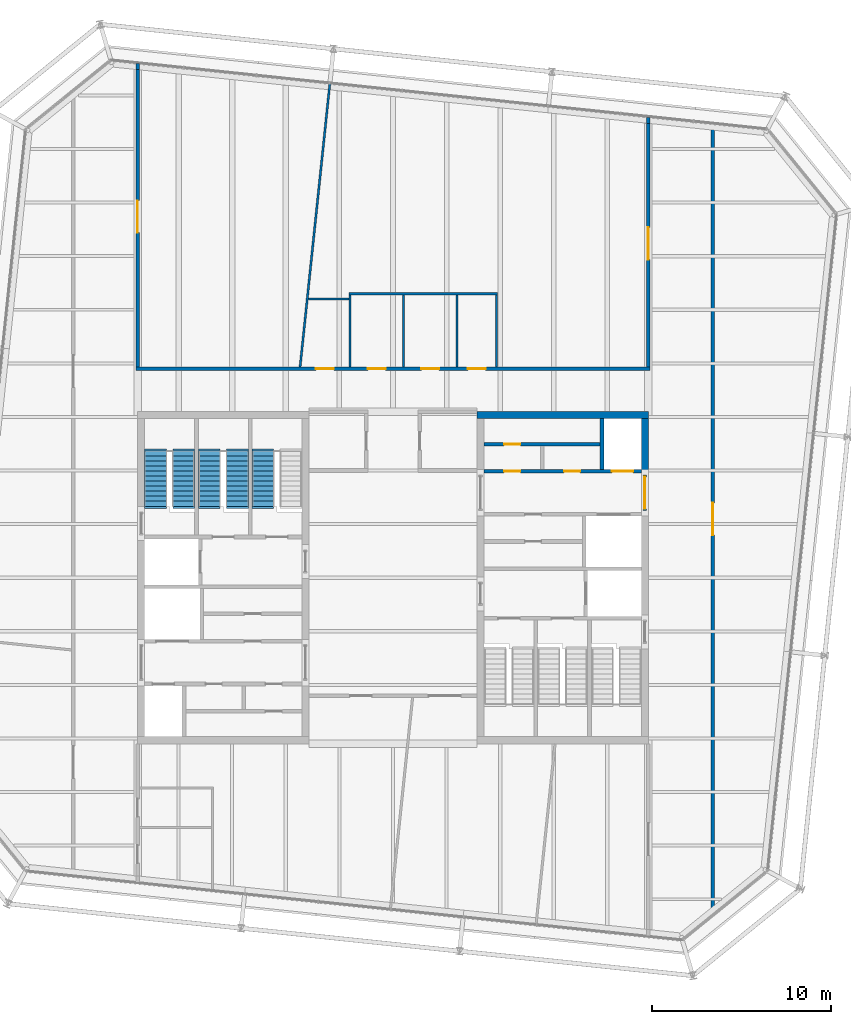
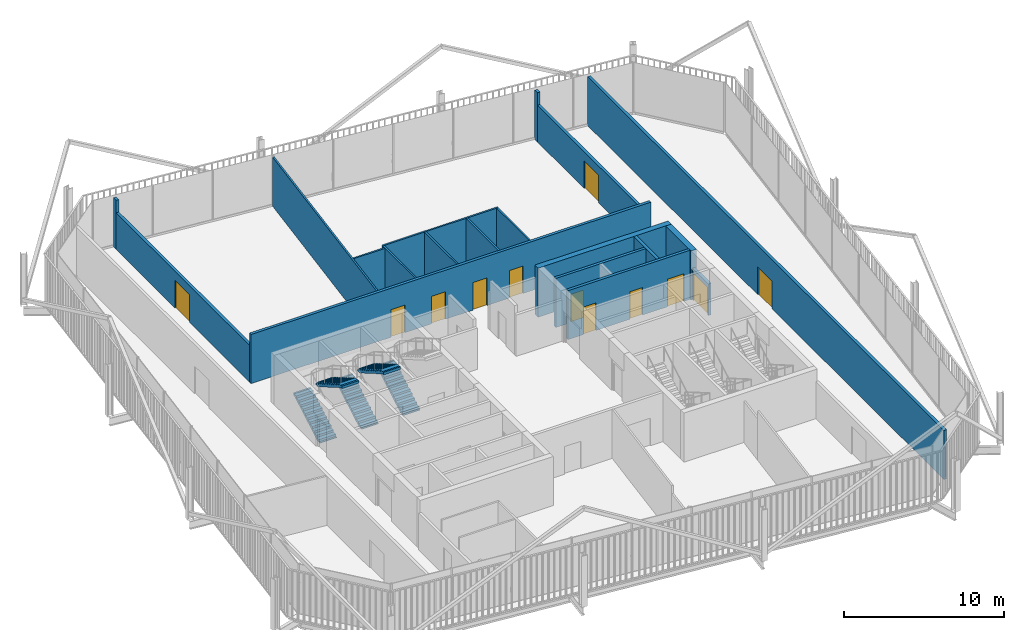
# One storey, part 19 of 21: 19 walls, 12 doors, 5 stair flights, 12 openings, 3 elements without a shape of their own.
"""IFC4 building model written with IfcOpenShell, lengths in metres."""

from ifc_helpers import new_model, si_unit, direction, frame, frame_2d, origin, place, context, subcontext, project, spatial, polyline, rectangle, outline, extrude, material, layer, layer_set, type_object, element, fill, aggregate, save


model = new_model("IFC4")

# Units and contexts
model_context = context("Model", 3, precision=1e-05, world=origin(), true_north=direction((0.0, 1.0)))
body_context = subcontext(model_context, "Body", "Model", "MODEL_VIEW")
ifc_project = project(units=[si_unit("LENGTHUNIT", "METRE"), si_unit("AREAUNIT", "SQUARE_METRE"), si_unit("VOLUMEUNIT", "CUBIC_METRE"), si_unit("PLANEANGLEUNIT", "RADIAN"), si_unit("MASSUNIT", "GRAM", prefix="KILO")], contexts=[model_context])

# Site, building, storey
site_placement = place(None, origin())
site = spatial("IfcSite", under=ifc_project, at=site_placement, CompositionType="ELEMENT")
building_placement = place(site_placement, origin())
building = spatial("IfcBuilding", under=site, at=building_placement, Name="Millrace Tower", CompositionType="ELEMENT")
storey_placement = place(building_placement, frame((0.0, 0.0, 318.699951171875)))
storey = spatial("IfcBuildingStorey", under=building, at=storey_placement, Name="L73", CompositionType="ELEMENT", Elevation=318.699951171875)

# Walls
ifc_material_1 = material(Name="Concrete C60", Category="concrete")
ifc_layer_1 = layer(ifc_material_1, 0.39990234375)
ifc_layer_set_1 = layer_set([ifc_layer_1], Name="Concrete C60")
wall_type_1 = type_object("IfcWallType", Name="Core wall 400 Concrete C60", PredefinedType="SHEAR", material=ifc_layer_set_1)
wall_1_placement = place(storey_placement, frame((14.300048828125, 9.10009765625, 0.0), z_axis=(0.0, 0.0, 1.0), x_axis=(-1.0, 0.0, 0.0)))
element("IfcWall", 1, at=wall_1_placement, inside=storey, type_object=wall_type_1, Name="Core wall E L73", PredefinedType="SHEAR", context=body_context, shape_type="SweptSolid", body=[
    extrude(rectangle(XDim=9.60009765625, YDim=0.39990234375, at=frame_2d((4.800048828125, 0.0))), origin(), (0.0, 0.0, 1.0), 3.739990234375),
])
wall_2_placement = place(storey_placement, frame((14.10009765625, 8.89990234375, 0.0), z_axis=(0.0, 0.0, 1.0), x_axis=(0.0, -1.0, 0.0)))
element("IfcWall", 2, at=wall_2_placement, inside=storey, type_object=wall_type_1, Name="Core wall E L73", PredefinedType="SHEAR", context=body_context, shape_type="SweptSolid", body=[
    extrude(rectangle(XDim=3.14990234375, YDim=0.39990234375, at=frame_2d((1.574951171875, 0.0))), origin(), (0.0, 0.0, 1.0), 3.739990234375),
])

# Wall, openings, doors
ifc_material_2 = material(Name="Masonry partition, fire-rated", Category="masonry")
ifc_layer_2 = layer(ifc_material_2, 0.199951171875)
ifc_layer_set_2 = layer_set([ifc_layer_2], Name="Masonry partition, fire-rated")
wall_type_2 = type_object("IfcWallType", Name="Corridor wall 200", PredefinedType="PARTITIONING", material=ifc_layer_set_2)
wall_3_placement = place(storey_placement, frame((-14.39990234375, 11.699951171875, 0.0), z_axis=(0.0, 0.0, 1.0), x_axis=(1.0, 0.0, 0.0)))
wall_3 = element("IfcWall", 3, at=wall_3_placement, inside=storey, type_object=wall_type_2, Name="Corridor wall L73", PredefinedType="PARTITIONING", context=body_context, shape_type="SweptSolid", body=[
    extrude(rectangle(XDim=28.7998046875, YDim=0.199951171875, at=frame_2d((14.39990234375, 0.0))), origin(), (0.0, 0.0, 1.0), 3.739990234375),
])
opening_1_placement = place(wall_3_placement, frame((10.089111328125, 0.0, 0.0)))
opening_1 = element("IfcOpeningElement", 4, at=opening_1_placement, cuts=wall_3, Name="Opening 73-P007", PredefinedType="OPENING", context=body_context, shape_type="SweptSolid", body=[
    extrude(rectangle(XDim=1.0, YDim=2.10009765625, at=frame_2d((0.5, 1.050048828125))), frame((0.0, 0.10986328125, 0.0), z_axis=(0.0, -1.0, 0.0), x_axis=(1.0, 0.0, 0.0)), (0.0, 0.0, 1.0), 0.219970703125),
])
opening_2_placement = place(wall_3_placement, frame((12.989013671875, 0.0, 0.0)))
opening_2 = element("IfcOpeningElement", 5, at=opening_2_placement, cuts=wall_3, Name="Opening 73-P014", PredefinedType="OPENING", context=body_context, shape_type="SweptSolid", body=[
    extrude(rectangle(XDim=1.0, YDim=2.10009765625, at=frame_2d((0.5, 1.050048828125))), frame((0.0, 0.10986328125, 0.0), z_axis=(0.0, -1.0, 0.0), x_axis=(1.0, 0.0, 0.0)), (0.0, 0.0, 1.0), 0.219970703125),
])
opening_3_placement = place(wall_3_placement, frame((15.989013671875, 0.0, 0.0)))
opening_3 = element("IfcOpeningElement", 6, at=opening_3_placement, cuts=wall_3, Name="Opening 73-P015", PredefinedType="OPENING", context=body_context, shape_type="SweptSolid", body=[
    extrude(rectangle(XDim=1.0, YDim=2.10009765625, at=frame_2d((0.5, 1.050048828125))), frame((0.0, 0.10986328125, 0.0), z_axis=(0.0, -1.0, 0.0), x_axis=(1.0, 0.0, 0.0)), (0.0, 0.0, 1.0), 0.219970703125),
])
opening_4_placement = place(wall_3_placement, frame((18.589111328125, 0.0, 0.0)))
opening_4 = element("IfcOpeningElement", 7, at=opening_4_placement, cuts=wall_3, Name="Opening 73-P016", PredefinedType="OPENING", context=body_context, shape_type="SweptSolid", body=[
    extrude(rectangle(XDim=1.0, YDim=2.10009765625, at=frame_2d((0.5, 1.050048828125))), frame((0.0, 0.10986328125, 0.0), z_axis=(0.0, -1.0, 0.0), x_axis=(1.0, 0.0, 0.0)), (0.0, 0.0, 1.0), 0.219970703125),
])
ifc_material_3 = material(Name="Steel door set, fire-rated", Category="steel")
door_type_1 = type_object("IfcDoorType", Name="Corridor door 1000 x 2100", OperationType="SINGLE_SWING_LEFT", PredefinedType="DOOR", material=ifc_material_3)
door_1_placement = place(opening_1_placement, origin())
door_1 = element("IfcDoor", 8, at=door_1_placement, inside=storey, type_object=door_type_1, Name="Door 73-P007", OperationType="SINGLE_SWING_LEFT", OverallHeight=2.10009765625, OverallWidth=1.0, PredefinedType="DOOR", context=body_context, shape_type="SweptSolid", body=[
    extrude(rectangle(XDim=1.0, YDim=2.10009765625, at=frame_2d((0.5, 1.050048828125))), frame((0.0, 0.02490234375, 0.0), z_axis=(0.0, -1.0, 0.0), x_axis=(1.0, 0.0, 0.0)), (0.0, 0.0, 1.0), 0.050048828125),
])
fill(opening_1, door_1)
door_2_placement = place(opening_2_placement, origin())
door_2 = element("IfcDoor", 9, at=door_2_placement, inside=storey, type_object=door_type_1, Name="Door 73-P014", OperationType="SINGLE_SWING_LEFT", OverallHeight=2.10009765625, OverallWidth=1.0, PredefinedType="DOOR", context=body_context, shape_type="SweptSolid", body=[
    extrude(rectangle(XDim=1.0, YDim=2.10009765625, at=frame_2d((0.5, 1.050048828125))), frame((0.0, 0.02490234375, 0.0), z_axis=(0.0, -1.0, 0.0), x_axis=(1.0, 0.0, 0.0)), (0.0, 0.0, 1.0), 0.050048828125),
])
fill(opening_2, door_2)
door_3_placement = place(opening_3_placement, origin())
door_3 = element("IfcDoor", 10, at=door_3_placement, inside=storey, type_object=door_type_1, Name="Door 73-P015", OperationType="SINGLE_SWING_RIGHT", OverallHeight=2.10009765625, OverallWidth=1.0, PredefinedType="DOOR", context=body_context, shape_type="SweptSolid", body=[
    extrude(rectangle(XDim=1.0, YDim=2.10009765625, at=frame_2d((0.5, 1.050048828125))), frame((0.0, 0.02490234375, 0.0), z_axis=(0.0, -1.0, 0.0), x_axis=(1.0, 0.0, 0.0)), (0.0, 0.0, 1.0), 0.050048828125),
])
fill(opening_3, door_3)
door_4_placement = place(opening_4_placement, origin())
door_4 = element("IfcDoor", 11, at=door_4_placement, inside=storey, type_object=door_type_1, Name="Door 73-P016", OperationType="SINGLE_SWING_RIGHT", OverallHeight=2.10009765625, OverallWidth=1.0, PredefinedType="DOOR", context=body_context, shape_type="SweptSolid", body=[
    extrude(rectangle(XDim=1.0, YDim=2.10009765625, at=frame_2d((0.5, 1.050048828125))), frame((0.0, 0.02490234375, 0.0), z_axis=(0.0, -1.0, 0.0), x_axis=(1.0, 0.0, 0.0)), (0.0, 0.0, 1.0), 0.050048828125),
])
fill(opening_4, door_4)

# Wall, opening, door
wall_4_placement = place(storey_placement, frame((17.89990234375, -19.042236328125, 0.0), z_axis=(0.0, 0.0, 1.0), x_axis=(0.0, 1.0, 0.0)))
wall_4 = element("IfcWall", 12, at=wall_4_placement, inside=storey, type_object=wall_type_2, Name="Corridor wall L73", PredefinedType="PARTITIONING", context=body_context, shape_type="SweptSolid", body=[
    extrude(rectangle(XDim=44.437255859375, YDim=0.199951171875, at=frame_2d((22.21875, 0.0))), origin(), (0.0, 0.0, 1.0), 3.739990234375),
])
opening_5_placement = place(wall_4_placement, frame((21.42578125, 0.0, 0.0)))
opening_5 = element("IfcOpeningElement", 13, at=opening_5_placement, cuts=wall_4, Name="Opening 73-P008", PredefinedType="OPENING", context=body_context, shape_type="SweptSolid", body=[
    extrude(rectangle(XDim=1.800048828125, YDim=2.10009765625, at=frame_2d((0.89990234375, 1.050048828125))), frame((0.0, 0.10986328125, 0.0), z_axis=(0.0, -1.0, 0.0), x_axis=(1.0, 0.0, 0.0)), (0.0, 0.0, 1.0), 0.219970703125),
])
ifc_material_4 = material(Name="Steel door set, fire-rated", Category="steel")
door_type_2 = type_object("IfcDoorType", Name="Corridor door 1800 x 2100", OperationType="DOUBLE_DOOR_SINGLE_SWING", PredefinedType="DOOR", material=ifc_material_4)
door_5_placement = place(opening_5_placement, origin())
door_5 = element("IfcDoor", 14, at=door_5_placement, inside=storey, type_object=door_type_2, Name="Door 73-P008", OperationType="DOUBLE_DOOR_SINGLE_SWING", OverallHeight=2.10009765625, OverallWidth=1.800048828125, PredefinedType="DOOR", context=body_context, shape_type="SweptSolid", body=[
    extrude(rectangle(XDim=1.800048828125, YDim=2.10009765625, at=frame_2d((0.89990234375, 1.050048828125))), frame((0.0, 0.02490234375, 0.0), z_axis=(0.0, -1.0, 0.0), x_axis=(1.0, 0.0, 0.0)), (0.0, 0.0, 1.0), 0.050048828125),
])
fill(opening_5, door_5)

wall_5_placement = place(storey_placement, frame((14.300048828125, 11.800048828125, 0.0), z_axis=(0.0, 0.0, 1.0), x_axis=(0.0, 1.0, 0.0)))
wall_5 = element("IfcWall", 15, at=wall_5_placement, inside=storey, type_object=wall_type_2, Name="Corridor wall L73", PredefinedType="PARTITIONING", context=body_context, shape_type="SweptSolid", body=[
    extrude(rectangle(XDim=13.63427734375, YDim=0.199951171875, at=frame_2d((6.817138671875, 0.0))), origin(), (0.0, 0.0, 1.0), 2.792724609375),
])
opening_6_placement = place(wall_5_placement, frame((6.011474609375, 0.0, 0.0)))
opening_6 = element("IfcOpeningElement", 16, at=opening_6_placement, cuts=wall_5, Name="Opening 73-P006", PredefinedType="OPENING", context=body_context, shape_type="SweptSolid", body=[
    extrude(rectangle(XDim=1.800048828125, YDim=2.10009765625, at=frame_2d((0.89990234375, 1.050048828125))), frame((0.0, 0.10986328125, 0.0), z_axis=(0.0, -1.0, 0.0), x_axis=(1.0, 0.0, 0.0)), (0.0, 0.0, 1.0), 0.219970703125),
])
door_6_placement = place(opening_6_placement, frame((1.800048828125, 0.0, 0.0), z_axis=(0.0, 0.0, 1.0), x_axis=(-1.0, 0.0, 0.0)))
door_6 = element("IfcDoor", 17, at=door_6_placement, inside=storey, type_object=door_type_2, Name="Door 73-P006", OperationType="DOUBLE_DOOR_SINGLE_SWING", OverallHeight=2.10009765625, OverallWidth=1.800048828125, PredefinedType="DOOR", context=body_context, shape_type="SweptSolid", body=[
    extrude(rectangle(XDim=1.800048828125, YDim=2.10009765625, at=frame_2d((0.89990234375, 1.050048828125))), frame((0.0, 0.02490234375, 0.0), z_axis=(0.0, -1.0, 0.0), x_axis=(1.0, 0.0, 0.0)), (0.0, 0.0, 1.0), 0.050048828125),
])
fill(opening_6, door_6)

# Wall
wall_6_placement = place(storey_placement, frame((14.300048828125, 25.434326171875, 0.0), z_axis=(0.0, 0.0, 1.0), x_axis=(0.0, 1.0, 0.0)))
element("IfcWall", 18, at=wall_6_placement, inside=storey, type_object=wall_type_2, Name="Corridor wall L73", PredefinedType="PARTITIONING", context=body_context, shape_type="SweptSolid", body=[
    extrude(rectangle(XDim=0.339111328125, YDim=0.199951171875, at=frame_2d((0.16943359375, 0.0))), origin(), (0.0, 0.0, 1.0), 3.739990234375),
])

# Wall, opening, door
wall_7_placement = place(storey_placement, frame((-14.300048828125, 11.800048828125, 0.0), z_axis=(0.0, 0.0, 1.0), x_axis=(0.0, 1.0, 0.0)))
wall_7 = element("IfcWall", 19, at=wall_7_placement, inside=storey, type_object=wall_type_2, Name="Corridor wall L73", PredefinedType="PARTITIONING", context=body_context, shape_type="SweptSolid", body=[
    extrude(rectangle(XDim=16.64013671875, YDim=0.199951171875, at=frame_2d((8.320068359375, 0.0))), origin(), (0.0, 0.0, 1.0), 2.792724609375),
])
opening_7_placement = place(wall_7_placement, frame((7.514404296875, 0.0, 0.0)))
opening_7 = element("IfcOpeningElement", 20, at=opening_7_placement, cuts=wall_7, Name="Opening 73-P005", PredefinedType="OPENING", context=body_context, shape_type="SweptSolid", body=[
    extrude(rectangle(XDim=1.800048828125, YDim=2.10009765625, at=frame_2d((0.89990234375, 1.050048828125))), frame((0.0, 0.10986328125, 0.0), z_axis=(0.0, -1.0, 0.0), x_axis=(1.0, 0.0, 0.0)), (0.0, 0.0, 1.0), 0.219970703125),
])
door_7_placement = place(opening_7_placement, origin())
door_7 = element("IfcDoor", 21, at=door_7_placement, inside=storey, type_object=door_type_2, Name="Door 73-P005", OperationType="DOUBLE_DOOR_SINGLE_SWING", OverallHeight=2.10009765625, OverallWidth=1.800048828125, PredefinedType="DOOR", context=body_context, shape_type="SweptSolid", body=[
    extrude(rectangle(XDim=1.800048828125, YDim=2.10009765625, at=frame_2d((0.89990234375, 1.050048828125))), frame((0.0, 0.02490234375, 0.0), z_axis=(0.0, -1.0, 0.0), x_axis=(1.0, 0.0, 0.0)), (0.0, 0.0, 1.0), 0.050048828125),
])
fill(opening_7, door_7)

# Wall
wall_8_placement = place(storey_placement, frame((-14.300048828125, 28.440185546875, 0.0), z_axis=(0.0, 0.0, 1.0), x_axis=(0.0, 1.0, 0.0)))
element("IfcWall", 22, at=wall_8_placement, inside=storey, type_object=wall_type_2, Name="Corridor wall L73", PredefinedType="PARTITIONING", context=body_context, shape_type="SweptSolid", body=[
    extrude(rectangle(XDim=0.33935546875, YDim=0.199951171875, at=frame_2d((0.169677734375, 0.0))), origin(), (0.0, 0.0, 1.0), 3.739990234375),
])

# Wall, openings, doors
ifc_material_5 = material(Name="Masonry partition, fire-rated", Category="masonry")
ifc_layer_3 = layer(ifc_material_5, 0.199951171875)
ifc_layer_set_3 = layer_set([ifc_layer_3], Name="Masonry partition, fire-rated")
wall_type_3 = type_object("IfcWallType", Name="Lift shaft wall 200", PredefinedType="PARTITIONING", material=ifc_layer_set_3)
wall_9_placement = place(storey_placement, frame((13.89990234375, 5.949951171875, 0.0), z_axis=(0.0, 0.0, 1.0), x_axis=(-1.0, 0.0, 0.0)))
wall_9 = element("IfcWall", 23, at=wall_9_placement, inside=storey, type_object=wall_type_3, Name="Lift shaft wall E L73", PredefinedType="PARTITIONING", context=body_context, shape_type="SweptSolid", body=[
    extrude(rectangle(XDim=8.7998046875, YDim=0.199951171875, at=frame_2d((4.39990234375, 0.0))), origin(), (0.0, 0.0, 1.0), 3.739990234375),
])
opening_8_placement = place(wall_9_placement, frame((0.449951171875, 0.0, 0.0)))
opening_8 = element("IfcOpeningElement", 24, at=opening_8_placement, cuts=wall_9, Name="Opening 73-LD09", PredefinedType="OPENING", context=body_context, shape_type="SweptSolid", body=[
    extrude(rectangle(XDim=1.199951171875, YDim=2.10009765625, at=frame_2d((0.60009765625, 1.050048828125))), frame((0.0, 0.10986328125, 0.0), z_axis=(0.0, -1.0, 0.0), x_axis=(1.0, 0.0, 0.0)), (0.0, 0.0, 1.0), 0.219970703125),
])
opening_9_placement = place(wall_9_placement, frame((3.425048828125, 0.0, 0.0)))
opening_9 = element("IfcOpeningElement", 25, at=opening_9_placement, cuts=wall_9, Name="Opening 73-C016", PredefinedType="OPENING", context=body_context, shape_type="SweptSolid", body=[
    extrude(rectangle(XDim=0.89990234375, YDim=2.10009765625, at=frame_2d((0.449951171875, 1.050048828125))), frame((0.0, 0.10986328125, 0.0), z_axis=(0.0, -1.0, 0.0), x_axis=(1.0, 0.0, 0.0)), (0.0, 0.0, 1.0), 0.219970703125),
])
opening_10_placement = place(wall_9_placement, frame((6.77490234375, 0.0, 0.0)))
opening_10 = element("IfcOpeningElement", 26, at=opening_10_placement, cuts=wall_9, Name="Opening 73-C017", PredefinedType="OPENING", context=body_context, shape_type="SweptSolid", body=[
    extrude(rectangle(XDim=0.89990234375, YDim=2.10009765625, at=frame_2d((0.449951171875, 1.050048828125))), frame((0.0, 0.10986328125, 0.0), z_axis=(0.0, -1.0, 0.0), x_axis=(1.0, 0.0, 0.0)), (0.0, 0.0, 1.0), 0.219970703125),
])
ifc_material_6 = material(Name="Stainless steel, fire-rated", Category="steel")
door_type_3 = type_object("IfcDoorType", Name="Lift landing door 1200 x 2100", OperationType="DOUBLE_DOOR_SLIDING", PredefinedType="DOOR", material=ifc_material_6)
door_8_placement = place(opening_8_placement, origin())
door_8 = element("IfcDoor", 27, at=door_8_placement, inside=storey, type_object=door_type_3, Name="Lift landing door LF9 L73", OperationType="DOUBLE_DOOR_SLIDING", OverallHeight=2.10009765625, OverallWidth=1.199951171875, PredefinedType="DOOR", context=body_context, shape_type="SweptSolid", body=[
    extrude(rectangle(XDim=1.199951171875, YDim=2.10009765625, at=frame_2d((0.60009765625, 1.050048828125))), frame((0.0, 0.02490234375, 0.0), z_axis=(0.0, -1.0, 0.0), x_axis=(1.0, 0.0, 0.0)), (0.0, 0.0, 1.0), 0.050048828125),
])
fill(opening_8, door_8)
ifc_material_7 = material(Name="Steel door, fire-rated", Category="steel")
door_type_4 = type_object("IfcDoorType", Name="Service room door 900 x 2100", OperationType="SINGLE_SWING_LEFT", PredefinedType="DOOR", material=ifc_material_7)
door_9_placement = place(opening_9_placement, origin())
door_9 = element("IfcDoor", 28, at=door_9_placement, inside=storey, type_object=door_type_4, Name="Service room door 73-C016", OperationType="SINGLE_SWING_LEFT", OverallHeight=2.10009765625, OverallWidth=0.89990234375, PredefinedType="DOOR", context=body_context, shape_type="SweptSolid", body=[
    extrude(rectangle(XDim=0.89990234375, YDim=2.10009765625, at=frame_2d((0.449951171875, 1.050048828125))), frame((0.0, 0.02490234375, 0.0), z_axis=(0.0, -1.0, 0.0), x_axis=(1.0, 0.0, 0.0)), (0.0, 0.0, 1.0), 0.050048828125),
])
fill(opening_9, door_9)
door_10_placement = place(opening_10_placement, origin())
door_10 = element("IfcDoor", 29, at=door_10_placement, inside=storey, type_object=door_type_4, Name="Service room door 73-C017", OperationType="SINGLE_SWING_RIGHT", OverallHeight=2.10009765625, OverallWidth=0.89990234375, PredefinedType="DOOR", context=body_context, shape_type="SweptSolid", body=[
    extrude(rectangle(XDim=0.89990234375, YDim=2.10009765625, at=frame_2d((0.449951171875, 1.050048828125))), frame((0.0, 0.02490234375, 0.0), z_axis=(0.0, -1.0, 0.0), x_axis=(1.0, 0.0, 0.0)), (0.0, 0.0, 1.0), 0.050048828125),
])
fill(opening_10, door_10)

# Wall
wall_10_placement = place(storey_placement, frame((11.699951171875, 8.89990234375, 0.0), z_axis=(0.0, 0.0, 1.0), x_axis=(0.0, -1.0, 0.0)))
element("IfcWall", 30, at=wall_10_placement, inside=storey, type_object=wall_type_3, Name="Lift shaft wall E L73", PredefinedType="PARTITIONING", context=body_context, shape_type="SweptSolid", body=[
    extrude(rectangle(XDim=2.849853515625, YDim=0.199951171875, at=frame_2d((1.4248046875, 0.0))), origin(), (0.0, 0.0, 1.0), 3.739990234375),
])

# Wall, opening, door
ifc_material_8 = material(Name="Masonry partition, fire-rated", Category="masonry")
ifc_layer_4 = layer(ifc_material_8, 0.199951171875)
ifc_layer_set_4 = layer_set([ifc_layer_4], Name="Masonry partition, fire-rated")
wall_type_4 = type_object("IfcWallType", Name="Lobby wall 200", PredefinedType="PARTITIONING", material=ifc_layer_set_4)
wall_11_placement = place(storey_placement, frame((14.10009765625, 5.75, 0.0), z_axis=(0.0, 0.0, 1.0), x_axis=(0.0, -1.0, 0.0)))
wall_11 = element("IfcWall", 31, at=wall_11_placement, inside=storey, type_object=wall_type_4, Name="Lobby wall E L73", PredefinedType="PARTITIONING", context=body_context, shape_type="SweptSolid", body=[
    extrude(rectangle(XDim=2.0, YDim=0.199951171875, at=frame_2d((1.0, 0.0))), origin(), (0.0, 0.0, 1.0), 2.400146484375),
])
opening_11_placement = place(wall_11_placement, frame((0.10009765625, 0.0, 0.0)))
opening_11 = element("IfcOpeningElement", 32, at=opening_11_placement, cuts=wall_11, Name="Opening 73-C012", PredefinedType="OPENING", context=body_context, shape_type="SweptSolid", body=[
    extrude(rectangle(XDim=1.800048828125, YDim=2.10009765625, at=frame_2d((0.89990234375, 1.050048828125))), frame((0.0, 0.10986328125, 0.0), z_axis=(0.0, -1.0, 0.0), x_axis=(1.0, 0.0, 0.0)), (0.0, 0.0, 1.0), 0.219970703125),
])
ifc_material_9 = material(Name="Steel door, fire-rated", Category="steel")
door_type_5 = type_object("IfcDoorType", Name="Lobby door 1800 x 2100", OperationType="DOUBLE_DOOR_SINGLE_SWING", PredefinedType="DOOR", material=ifc_material_9)
door_11_placement = place(opening_11_placement, origin())
door_11 = element("IfcDoor", 33, at=door_11_placement, inside=storey, type_object=door_type_5, Name="Lobby door 73-C012", OperationType="DOUBLE_DOOR_SINGLE_SWING", OverallHeight=2.10009765625, OverallWidth=1.800048828125, PredefinedType="DOOR", context=body_context, shape_type="SweptSolid", body=[
    extrude(rectangle(XDim=1.800048828125, YDim=2.10009765625, at=frame_2d((0.89990234375, 1.050048828125))), frame((0.0, 0.02490234375, 0.0), z_axis=(0.0, -1.0, 0.0), x_axis=(1.0, 0.0, 0.0)), (0.0, 0.0, 1.0), 0.050048828125),
])
fill(opening_11, door_11)

# Walls
ifc_material_10 = material(Name="Gypsum board partition")
ifc_layer_5 = layer(ifc_material_10, 0.1201171875)
ifc_layer_set_5 = layer_set([ifc_layer_5], Name="Gypsum board partition")
wall_type_5 = type_object("IfcWallType", Name="Partition wall 120", PredefinedType="PARTITIONING", material=ifc_layer_set_5)
wall_12_placement = place(storey_placement, frame((-4.740966796875, 15.60009765625, 0.0), z_axis=(0.0, 0.0, 1.0), x_axis=(1.0, 0.0, 0.0)))
element("IfcWall", 34, at=wall_12_placement, inside=storey, type_object=wall_type_5, Name="Partition wall L73", PredefinedType="PARTITIONING", context=body_context, shape_type="SweptSolid", body=[
    extrude(rectangle(XDim=2.27001953125, YDim=0.1201171875, at=frame_2d((1.135009765625, 0.0))), origin(), (0.0, 0.0, 1.0), 3.739990234375),
])
wall_13_placement = place(storey_placement, frame((-2.470947265625, 15.89990234375, 0.0), z_axis=(0.0, 0.0, 1.0), x_axis=(1.0, 0.0, 0.0)))
element("IfcWall", 35, at=wall_13_placement, inside=storey, type_object=wall_type_5, Name="Partition wall L73", PredefinedType="PARTITIONING", context=body_context, shape_type="SweptSolid", body=[
    extrude(rectangle(XDim=8.320068359375, YDim=0.1201171875, at=frame_2d((4.16015625, 0.0))), origin(), (0.0, 0.0, 1.0), 3.739990234375),
])
wall_14_placement = place(storey_placement, frame((-5.200439453125, 11.799560546875, 0.0), z_axis=(0.0, 0.0, 1.0), x_axis=(0.10453086604, 0.994521642824, 0.0)))
element("IfcWall", 36, at=wall_14_placement, inside=storey, type_object=wall_type_5, Name="Partition wall L73", PredefinedType="PARTITIONING", context=body_context, shape_type="SweptSolid", body=[
    extrude(rectangle(XDim=15.935791015625, YDim=0.1201171875, at=frame_2d((7.9677734375, 0.0))), origin(), (0.0, 0.0, 1.0), 3.739990234375),
])
for number, where, z_axis, x_axis, name in (
    (37, (5.7890625, 11.800048828125, 0.0), (0.0, 0.0, 1.0), (0.0, 1.0, 0.0), "Partition wall L73"),
    (38, (3.589111328125, 11.800048828125, 0.0), (0.0, 0.0, 1.0), (0.0, 1.0, 0.0), "Partition wall L73"),
    (39, (0.589111328125, 11.800048828125, 0.0), (0.0, 0.0, 1.0), (0.0, 1.0, 0.0), "Partition wall L73"),
    (40, (-2.410888671875, 11.800048828125, 0.0), (0.0, 0.0, 1.0), (0.0, 1.0, 0.0), "Partition wall L73"),
):
    element("IfcWall", number, at=place(storey_placement, frame(where, z_axis=z_axis, x_axis=x_axis)), inside=storey, type_object=wall_type_5, Name=name, PredefinedType="PARTITIONING", context=body_context, shape_type="SweptSolid", body=[
        extrude(rectangle(XDim=4.0400390625, YDim=0.1201171875, at=frame_2d((2.02001953125, 0.0))), origin(), (0.0, 0.0, 1.0), 3.739990234375),
    ])

# Wall, opening, door
ifc_material_11 = material(Name="Masonry partition, fire-rated", Category="masonry")
ifc_layer_6 = layer(ifc_material_11, 0.199951171875)
ifc_layer_set_6 = layer_set([ifc_layer_6], Name="Masonry partition, fire-rated")
wall_type_6 = type_object("IfcWallType", Name="Room partition 200", PredefinedType="PARTITIONING", material=ifc_layer_set_6)
wall_15_placement = place(storey_placement, frame((11.60009765625, 7.47509765625, 0.0), z_axis=(0.0, 0.0, 1.0), x_axis=(-1.0, 0.0, 0.0)))
wall_15 = element("IfcWall", 41, at=wall_15_placement, inside=storey, type_object=wall_type_6, Name="Room partition E L73", PredefinedType="PARTITIONING", context=body_context, shape_type="SweptSolid", body=[
    extrude(rectangle(XDim=6.5, YDim=0.199951171875, at=frame_2d((3.25, 0.0))), origin(), (0.0, 0.0, 1.0), 3.739990234375),
])
opening_12_placement = place(wall_15_placement, frame((4.47509765625, 0.0, 0.0)))
opening_12 = element("IfcOpeningElement", 42, at=opening_12_placement, cuts=wall_15, Name="Opening 73-C018", PredefinedType="OPENING", context=body_context, shape_type="SweptSolid", body=[
    extrude(rectangle(XDim=0.89990234375, YDim=2.10009765625, at=frame_2d((0.449951171875, 1.050048828125))), frame((0.0, 0.10986328125, 0.0), z_axis=(0.0, -1.0, 0.0), x_axis=(1.0, 0.0, 0.0)), (0.0, 0.0, 1.0), 0.219970703125),
])
door_12_placement = place(opening_12_placement, frame((0.89990234375, 0.0, 0.0), z_axis=(0.0, 0.0, 1.0), x_axis=(-1.0, 0.0, 0.0)))
door_12 = element("IfcDoor", 43, at=door_12_placement, inside=storey, type_object=door_type_4, Name="Service room door 73-C018", OperationType="SINGLE_SWING_LEFT", OverallHeight=2.10009765625, OverallWidth=0.89990234375, PredefinedType="DOOR", context=body_context, shape_type="SweptSolid", body=[
    extrude(rectangle(XDim=0.89990234375, YDim=2.10009765625, at=frame_2d((0.449951171875, 1.050048828125))), frame((0.0, 0.02490234375, 0.0), z_axis=(0.0, -1.0, 0.0), x_axis=(1.0, 0.0, 0.0)), (0.0, 0.0, 1.0), 0.050048828125),
])
fill(opening_12, door_12)

# Stair, stair flights
ifc_material_12 = material(Name="Concrete C35", Category="concrete")
stair_type = type_object("IfcStairType", Name="Exit stair", PredefinedType="HALF_TURN_STAIR", material=ifc_material_12)
placement = place(storey_placement, origin())
stair_1 = element("IfcStair", 44, at=placement, inside=storey, type_object=stair_type, Name="Stair 1 W L73", PredefinedType="HALF_TURN_STAIR")
ifc_material_13 = material(Name="Concrete C35", Category="concrete")
stair_flight_type = type_object("IfcStairFlightType", Name="Exit stair flight", PredefinedType="STRAIGHT", material=ifc_material_13)
stair_flight_1_placement = place(storey_placement, frame((-13.2900390625, 4.0, 0.0), z_axis=(0.0, 0.0, 1.0), x_axis=(0.0, 1.0, 0.0)))
stair_flight_1 = element("IfcStairFlight", 45, at=stair_flight_1_placement, type_object=stair_flight_type, Name="ST12 flight 1", NumberOfRisers=12, NumberOfTreads=11, PredefinedType="STRAIGHT", RiserHeight=0.1625, TreadLength=0.28, context=body_context, shape_type="SweptSolid", body=[
    extrude(outline(polyline([(-0.1201171875, -0.0400390625), (-0.1201171875, 0.0), (0.0, 0.0), (0.0, 0.16259765625), (0.280029296875, 0.16259765625), (0.280029296875, 0.324951171875), (0.56005859375, 0.324951171875), (0.56005859375, 0.487548828125), (0.840087890625, 0.487548828125), (0.840087890625, 0.64990234375), (1.1201171875, 0.64990234375), (1.1201171875, 0.8125), (1.39990234375, 0.8125), (1.39990234375, 0.97509765625), (1.679931640625, 0.97509765625), (1.679931640625, 1.137451171875), (1.9599609375, 1.137451171875), (1.9599609375, 1.300048828125), (2.239990234375, 1.300048828125), (2.239990234375, 1.46240234375), (2.52001953125, 1.46240234375), (2.52001953125, 1.625), (2.800048828125, 1.625), (2.800048828125, 1.78759765625), (3.080078125, 1.78759765625), (3.080078125, 1.8076171875), (3.199951171875, 1.8076171875), (3.199951171875, 1.6142578125), (3.080078125, 1.6142578125), (0.298583984375, 0.0), (0.298583984375, -0.0400390625), (-0.1201171875, -0.0400390625)])), frame((0.0, 0.60986328125, 0.0), z_axis=(0.0, -1.0, 0.0), x_axis=(1.0, 0.0, 0.0)), (0.0, 0.0, 1.0), 1.219970703125),
])
stair_flight_2_placement = place(storey_placement, frame((-11.7099609375, 7.080078125, 1.949951171875), z_axis=(0.0, 0.0, 1.0), x_axis=(0.0, -1.0, 0.0)))
stair_flight_2 = element("IfcStairFlight", 46, at=stair_flight_2_placement, type_object=stair_flight_type, Name="ST12 flight 2", NumberOfRisers=12, NumberOfTreads=11, PredefinedType="STRAIGHT", RiserHeight=0.1625, TreadLength=0.28, context=body_context, shape_type="SweptSolid", body=[
    extrude(outline(polyline([(-0.1201171875, -0.0400390625), (-0.1201171875, 0.0), (0.0, 0.0), (0.0, 0.16259765625), (0.280029296875, 0.16259765625), (0.280029296875, 0.324951171875), (0.56005859375, 0.324951171875), (0.56005859375, 0.487548828125), (0.840087890625, 0.487548828125), (0.840087890625, 0.64990234375), (1.1201171875, 0.64990234375), (1.1201171875, 0.8125), (1.39990234375, 0.8125), (1.39990234375, 0.97509765625), (1.679931640625, 0.97509765625), (1.679931640625, 1.137451171875), (1.9599609375, 1.137451171875), (1.9599609375, 1.300048828125), (2.239990234375, 1.300048828125), (2.239990234375, 1.46240234375), (2.52001953125, 1.46240234375), (2.52001953125, 1.625), (2.800048828125, 1.625), (2.800048828125, 1.78759765625), (3.080078125, 1.78759765625), (3.080078125, 1.8076171875), (3.199951171875, 1.8076171875), (3.199951171875, 1.6142578125), (3.080078125, 1.6142578125), (0.298583984375, 0.0), (0.298583984375, -0.0400390625), (-0.1201171875, -0.0400390625)])), frame((0.0, 0.60986328125, 0.0), z_axis=(0.0, -1.0, 0.0), x_axis=(1.0, 0.0, 0.0)), (0.0, 0.0, 1.0), 1.219970703125),
])
aggregate(stair_1, [stair_flight_1, stair_flight_2])

stair_2 = element("IfcStair", 47, at=placement, inside=storey, type_object=stair_type, Name="Stair 2 W L73", PredefinedType="HALF_TURN_STAIR")
stair_flight_3_placement = place(storey_placement, frame((-10.2900390625, 4.0, 0.0), z_axis=(0.0, 0.0, 1.0), x_axis=(0.0, 1.0, 0.0)))
stair_flight_3 = element("IfcStairFlight", 48, at=stair_flight_3_placement, type_object=stair_flight_type, Name="ST12 flight 1", NumberOfRisers=12, NumberOfTreads=11, PredefinedType="STRAIGHT", RiserHeight=0.1625, TreadLength=0.28, context=body_context, shape_type="SweptSolid", body=[
    extrude(outline(polyline([(-0.1201171875, -0.0400390625), (-0.1201171875, 0.0), (0.0, 0.0), (0.0, 0.16259765625), (0.280029296875, 0.16259765625), (0.280029296875, 0.324951171875), (0.56005859375, 0.324951171875), (0.56005859375, 0.487548828125), (0.840087890625, 0.487548828125), (0.840087890625, 0.64990234375), (1.1201171875, 0.64990234375), (1.1201171875, 0.8125), (1.39990234375, 0.8125), (1.39990234375, 0.97509765625), (1.679931640625, 0.97509765625), (1.679931640625, 1.137451171875), (1.9599609375, 1.137451171875), (1.9599609375, 1.300048828125), (2.239990234375, 1.300048828125), (2.239990234375, 1.46240234375), (2.52001953125, 1.46240234375), (2.52001953125, 1.625), (2.800048828125, 1.625), (2.800048828125, 1.78759765625), (3.080078125, 1.78759765625), (3.080078125, 1.8076171875), (3.199951171875, 1.8076171875), (3.199951171875, 1.6142578125), (3.080078125, 1.6142578125), (0.298583984375, 0.0), (0.298583984375, -0.0400390625), (-0.1201171875, -0.0400390625)])), frame((0.0, 0.60986328125, 0.0), z_axis=(0.0, -1.0, 0.0), x_axis=(1.0, 0.0, 0.0)), (0.0, 0.0, 1.0), 1.219970703125),
])
stair_flight_4_placement = place(storey_placement, frame((-8.7099609375, 7.080078125, 1.949951171875), z_axis=(0.0, 0.0, 1.0), x_axis=(0.0, -1.0, 0.0)))
stair_flight_4 = element("IfcStairFlight", 49, at=stair_flight_4_placement, type_object=stair_flight_type, Name="ST12 flight 2", NumberOfRisers=12, NumberOfTreads=11, PredefinedType="STRAIGHT", RiserHeight=0.1625, TreadLength=0.28, context=body_context, shape_type="SweptSolid", body=[
    extrude(outline(polyline([(-0.1201171875, -0.0400390625), (-0.1201171875, 0.0), (0.0, 0.0), (0.0, 0.16259765625), (0.280029296875, 0.16259765625), (0.280029296875, 0.324951171875), (0.56005859375, 0.324951171875), (0.56005859375, 0.487548828125), (0.840087890625, 0.487548828125), (0.840087890625, 0.64990234375), (1.1201171875, 0.64990234375), (1.1201171875, 0.8125), (1.39990234375, 0.8125), (1.39990234375, 0.97509765625), (1.679931640625, 0.97509765625), (1.679931640625, 1.137451171875), (1.9599609375, 1.137451171875), (1.9599609375, 1.300048828125), (2.239990234375, 1.300048828125), (2.239990234375, 1.46240234375), (2.52001953125, 1.46240234375), (2.52001953125, 1.625), (2.800048828125, 1.625), (2.800048828125, 1.78759765625), (3.080078125, 1.78759765625), (3.080078125, 1.8076171875), (3.199951171875, 1.8076171875), (3.199951171875, 1.6142578125), (3.080078125, 1.6142578125), (0.298583984375, 0.0), (0.298583984375, -0.0400390625), (-0.1201171875, -0.0400390625)])), frame((0.0, 0.60986328125, 0.0), z_axis=(0.0, -1.0, 0.0), x_axis=(1.0, 0.0, 0.0)), (0.0, 0.0, 1.0), 1.219970703125),
])
aggregate(stair_2, [stair_flight_3, stair_flight_4])

# Stair, stair flight
stair_3 = element("IfcStair", 50, at=placement, inside=storey, type_object=stair_type, Name="Stair 3 W L73", PredefinedType="HALF_TURN_STAIR")
stair_flight_5_placement = place(storey_placement, frame((-7.2900390625, 4.0, 0.0), z_axis=(0.0, 0.0, 1.0), x_axis=(0.0, 1.0, 0.0)))
stair_flight_5 = element("IfcStairFlight", 51, at=stair_flight_5_placement, type_object=stair_flight_type, Name="ST12 flight 1", NumberOfRisers=12, NumberOfTreads=11, PredefinedType="STRAIGHT", RiserHeight=0.1625, TreadLength=0.28, context=body_context, shape_type="SweptSolid", body=[
    extrude(outline(polyline([(-0.1201171875, -0.0400390625), (-0.1201171875, 0.0), (0.0, 0.0), (0.0, 0.16259765625), (0.280029296875, 0.16259765625), (0.280029296875, 0.324951171875), (0.56005859375, 0.324951171875), (0.56005859375, 0.487548828125), (0.840087890625, 0.487548828125), (0.840087890625, 0.64990234375), (1.1201171875, 0.64990234375), (1.1201171875, 0.8125), (1.39990234375, 0.8125), (1.39990234375, 0.97509765625), (1.679931640625, 0.97509765625), (1.679931640625, 1.137451171875), (1.9599609375, 1.137451171875), (1.9599609375, 1.300048828125), (2.239990234375, 1.300048828125), (2.239990234375, 1.46240234375), (2.52001953125, 1.46240234375), (2.52001953125, 1.625), (2.800048828125, 1.625), (2.800048828125, 1.78759765625), (3.080078125, 1.78759765625), (3.080078125, 1.8076171875), (3.199951171875, 1.8076171875), (3.199951171875, 1.6142578125), (3.080078125, 1.6142578125), (0.298583984375, 0.0), (0.298583984375, -0.0400390625), (-0.1201171875, -0.0400390625)])), frame((0.0, 0.60986328125, 0.0), z_axis=(0.0, -1.0, 0.0), x_axis=(1.0, 0.0, 0.0)), (0.0, 0.0, 1.0), 1.219970703125),
])
aggregate(stair_3, [stair_flight_5])

save(model, "model.ifc")
